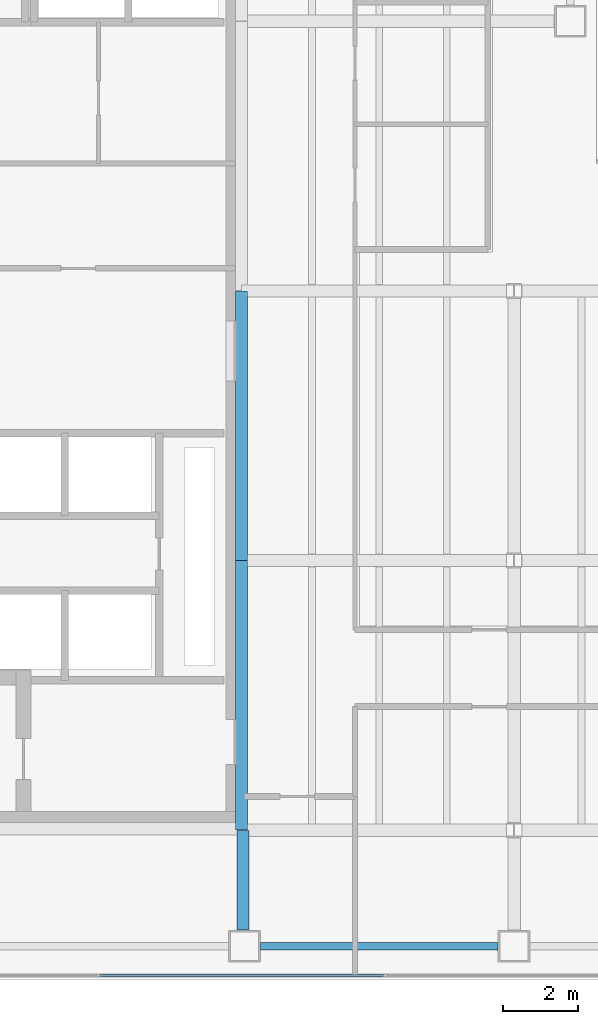
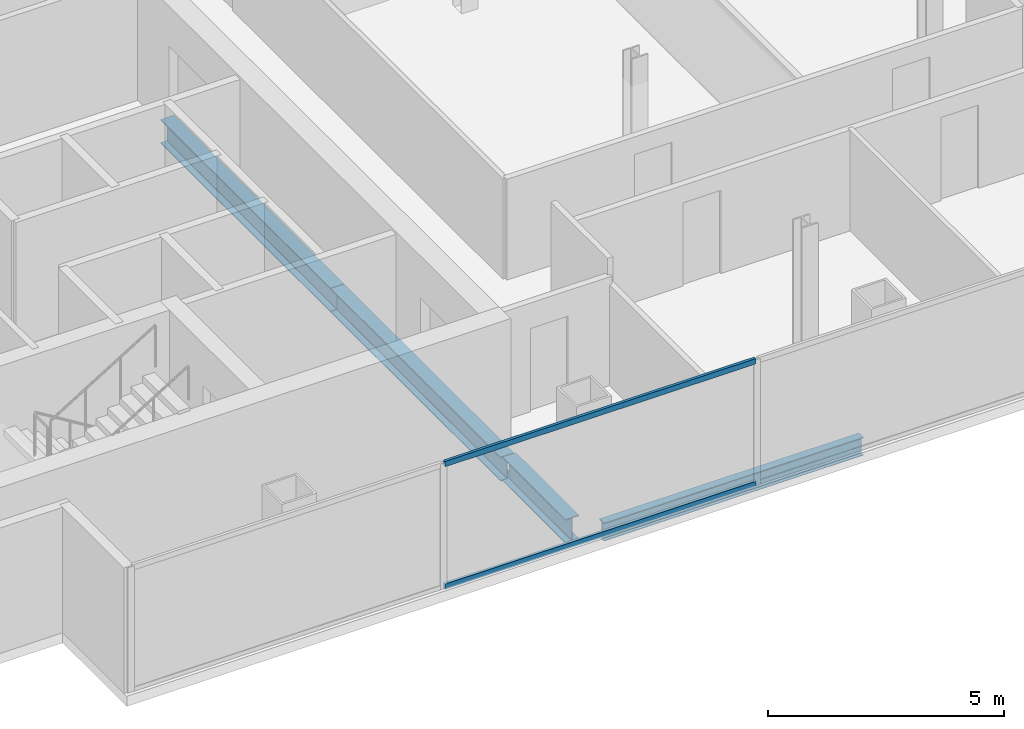
# One storey, part 3 of 23: 4 beams, 2 members, 1 element without a shape of its own.
"""IFC4 building model written with IfcOpenShell, lengths in metres."""

import ifcopenshell
import ifcopenshell.guid

model = None  # the IFC model being written
_history = None  # IfcOwnerHistory: only IFC2X3 demands one
_inside = {}  # id of a spatial element -> (the spatial element, [elements in it])
_under = {}  # id of a project, library or spatial element -> (it, [spatial elements below it])
_declared = {}  # id of a project -> (the project, [libraries it declares])
_typed = {}  # id of a type object -> (the type object, [elements of that type])
_made_of = {}  # id of a material, layer set ... -> (it, [elements and type objects made of it])


def new_model(schema):
    """Start an empty IFC model of exactly this schema.

    Asked for "IFC4X3", IfcOpenShell would pick the latest addendum, in which some entities
    have other attributes; the version numbers below select the first issue.
    IFC2X3 requires an IfcOwnerHistory on every rooted entity: one is made here for all.
    """
    global model, _history
    if schema == "IFC4X3":
        model = ifcopenshell.file(schema_version=(4, 3, 0, 0))
    else:
        model = ifcopenshell.file(schema=schema)
    _inside.clear()
    _under.clear()
    _declared.clear()
    _typed.clear()
    _made_of.clear()
    _history = None
    if model.schema == "IFC2X3":
        org = make("IfcOrganization", Name="unknown")
        user = make(
            "IfcPersonAndOrganization",
            ThePerson=make("IfcPerson", FamilyName="unknown"),
            TheOrganization=org,
        )
        app = make(
            "IfcApplication",
            ApplicationDeveloper=org,
            Version="unknown",
            ApplicationFullName="unknown",
            ApplicationIdentifier="unknown",
        )
        _history = make(
            "IfcOwnerHistory",
            OwningUser=user,
            OwningApplication=app,
            ChangeAction="ADDED",
            CreationDate=0,
        )
    return model


def make(cls, **values):
    """One entity of the class cls with the attributes given. An attribute that is None is left unset."""
    return model.create_entity(
        cls, **{name: value for name, value in values.items() if value is not None}
    )


def rooted(cls, **values):
    """An entity with a GlobalId (a new one), such as an element, a storey or a relation."""
    return make(cls, GlobalId=ifcopenshell.guid.new(), OwnerHistory=_history, **values)


def si_unit(unit_type, name, prefix=None):
    """IfcSIUnit, for example si_unit("LENGTHUNIT", "METRE", prefix="MILLI")."""
    return make("IfcSIUnit", UnitType=unit_type, Prefix=prefix, Name=name)


def assignment(units):
    """IfcUnitAssignment: the units of a project."""
    return None if units is None else make("IfcUnitAssignment", Units=units)


def point(xyz):
    """IfcCartesianPoint."""
    return None if xyz is None else make("IfcCartesianPoint", Coordinates=xyz)


def direction(xyz):
    """IfcDirection."""
    return None if xyz is None else make("IfcDirection", DirectionRatios=xyz)


def frame(location, z_axis=None, x_axis=None):
    """IfcAxis2Placement3D, a coordinate frame: its origin and axes. An axis left out is left unset."""
    return make(
        "IfcAxis2Placement3D",
        Location=point(location),
        Axis=direction(z_axis),
        RefDirection=direction(x_axis),
    )


def frame_2d(location, x_axis=None):
    """IfcAxis2Placement2D, a coordinate frame in the plane: its origin and x axis."""
    return make(
        "IfcAxis2Placement2D", Location=point(location), RefDirection=direction(x_axis)
    )


def origin():
    """The frame at (0, 0, 0) with its axes left unset."""
    return frame((0.0, 0.0, 0.0))


def origin_2d():
    """The frame at (0, 0) in the plane with its x axis left unset."""
    return frame_2d((0.0, 0.0))


def place(relative_to, where):
    """IfcLocalPlacement: puts the frame where relative to a parent placement (None: the world)."""
    return make(
        "IfcLocalPlacement", PlacementRelTo=relative_to, RelativePlacement=where
    )


def context(
    kind, dimensions, precision=None, world=None, true_north=None, identifier=None
):
    """IfcGeometricRepresentationContext, for example the 3D "Model" context."""
    return make(
        "IfcGeometricRepresentationContext",
        ContextIdentifier=identifier,
        ContextType=kind,
        CoordinateSpaceDimension=dimensions,
        Precision=precision,
        WorldCoordinateSystem=world,
        TrueNorth=true_north,
    )


def subcontext(parent, identifier, kind, view, scale=None):
    """IfcGeometricRepresentationSubContext, for example "Body" below "Model"."""
    return make(
        "IfcGeometricRepresentationSubContext",
        ContextIdentifier=identifier,
        ContextType=kind,
        ParentContext=parent,
        TargetScale=scale,
        TargetView=view,
    )


def project(units=None, contexts=None):
    """IfcProject with its units and contexts."""
    return rooted(
        "IfcProject",
        Name="project",
        RepresentationContexts=contexts,
        UnitsInContext=assignment(units),
    )


def spatial(cls, under=None, at=None, **own):
    """A site, building, storey or space (cls), placed at a placement, below another one or the project."""
    s = rooted(cls, ObjectPlacement=at, **own)
    if under is not None:
        _under.setdefault(under.id(), (under, []))[1].append(s)
    return s


def profile(cls, at=None, kind="AREA", **sizes):
    """A parametric profile (cls). Its sizes go by their IFC names, for example OverallWidth=200.0."""
    return make(cls, ProfileType=kind, Position=at, **sizes)


def hollow_rectangle(**sizes):
    """IfcRectangleHollowProfileDef."""
    return profile("IfcRectangleHollowProfileDef", **sizes)


def i_section(**sizes):
    """IfcIShapeProfileDef."""
    return profile("IfcIShapeProfileDef", **sizes)


def extrude(swept, where, along, depth):
    """IfcExtrudedAreaSolid: the profile swept, set in the frame where, extruded along a direction by depth."""
    return make(
        "IfcExtrudedAreaSolid",
        SweptArea=swept,
        Position=where,
        ExtrudedDirection=direction(along),
        Depth=depth,
    )


def shape(context_of_items, identifier, shape_type, items):
    """IfcShapeRepresentation: the items that make up one representation, for example the "Body"."""
    return make(
        "IfcShapeRepresentation",
        ContextOfItems=context_of_items,
        RepresentationIdentifier=identifier,
        RepresentationType=shape_type,
        Items=items,
    )


def material(Name=None, Category=None):
    """IfcMaterial."""
    return make("IfcMaterial", Name=Name, Category=Category)


def material_profile(
    of_material, cross_section, Name=None, Category=None, Priority=None
):
    """IfcMaterialProfile: a cross section and its material."""
    return make(
        "IfcMaterialProfile",
        Name=Name,
        Material=of_material,
        Profile=cross_section,
        Priority=Priority,
        Category=Category,
    )


def profile_set(profiles, Name=None, composite=None):
    """IfcMaterialProfileSet."""
    return make(
        "IfcMaterialProfileSet",
        Name=Name,
        MaterialProfiles=profiles,
        CompositeProfile=composite,
    )


def made_of(thing, what):
    """Note that an element or type object is made of a material, layer set ...; save() writes the relation."""
    if what is not None:
        _made_of.setdefault(what.id(), (what, []))[1].append(thing)
    return thing


def type_object(cls, material=None, **own):
    """A type object (cls), such as IfcWallType, which elements share."""
    return made_of(rooted(cls, **own), material)


def element(
    cls,
    number,
    at=None,
    inside=None,
    cuts=None,
    type_object=None,
    material=None,
    context=None,
    identifier="Body",
    shape_type=None,
    held_by="IfcProductDefinitionShape",
    body=None,
    shapes=None,
    **own,
):
    """One element of the class cls, such as IfcWall. Its Tag is "e" and its number.

    at: its placement. inside: the storey or other place that contains it. cuts: it is an
    opening in that element (IfcRelVoidsElement). A single representation is given by context,
    identifier, shape_type and body (its items); several are given by shapes. held_by: the class
    of the entity that holds the representations. save() writes the other relations.
    """
    e = rooted(cls, Tag="e%d" % number, ObjectPlacement=at, **own)
    if body is not None:
        shapes = [shape(context, identifier, shape_type, body)]
    if shapes is not None:
        e.Representation = make(held_by, Representations=shapes)
    if inside is not None:
        _inside.setdefault(inside.id(), (inside, []))[1].append(e)
    if cuts is not None:
        rooted(
            "IfcRelVoidsElement", RelatingBuildingElement=cuts, RelatedOpeningElement=e
        )
    if type_object is not None:
        _typed.setdefault(type_object.id(), (type_object, []))[1].append(e)
    return made_of(e, material)


def aggregate(whole, parts):
    """IfcRelAggregates: a whole, such as a stair, and the parts it consists of."""
    return rooted("IfcRelAggregates", RelatingObject=whole, RelatedObjects=parts)


def save(model, path):
    """Write the relations noted so far, then the file.

    IfcRelAggregates (storeys below a building ...), IfcRelContainedInSpatialStructure (elements
    in a storey), IfcRelDefinesByType, IfcRelAssociatesMaterial and IfcRelDeclares: one each for
    every whole, place, type object, material and project.
    """
    for whole, parts in _under.values():
        aggregate(whole, parts)
    for where, things in _inside.values():
        rooted(
            "IfcRelContainedInSpatialStructure",
            RelatedElements=things,
            RelatingStructure=where,
        )
    for kind, things in _typed.values():
        rooted("IfcRelDefinesByType", RelatedObjects=things, RelatingType=kind)
    for what, things in _made_of.values():
        rooted("IfcRelAssociatesMaterial", RelatedObjects=things, RelatingMaterial=what)
    for by, libraries in _declared.values():
        rooted("IfcRelDeclares", RelatingContext=by, RelatedDefinitions=libraries)
    model.write(path)


model = new_model("IFC4")

# Units and contexts
model_context = context("Model", 3, precision=1e-05, world=origin(), true_north=direction((0.0, 1.0)))
body_context = subcontext(model_context, "Body", "Model", "MODEL_VIEW")
ifc_project = project(units=[si_unit("LENGTHUNIT", "METRE"), si_unit("AREAUNIT", "SQUARE_METRE"), si_unit("VOLUMEUNIT", "CUBIC_METRE"), si_unit("PLANEANGLEUNIT", "RADIAN"), si_unit("MASSUNIT", "GRAM", prefix="KILO")], contexts=[model_context])

# Site, building, storey
site_placement = place(None, origin())
site = spatial("IfcSite", under=ifc_project, at=site_placement, CompositionType="ELEMENT")
building_placement = place(site_placement, origin())
building = spatial("IfcBuilding", under=site, at=building_placement, Name="Cobrela Telecom Tower", CompositionType="ELEMENT")
storey_placement = place(building_placement, frame((0.0, 0.0, 173.25)))
storey = spatial("IfcBuildingStorey", under=building, at=storey_placement, Name="L43", CompositionType="ELEMENT", Elevation=173.25)

# Beams
ifc_material_1 = material(Name="Steel ASTM A992 Grade 50", Category="steel")
ifc_material_profile_1 = material_profile(ifc_material_1, i_section(OverallWidth=0.327880859375, OverallDepth=0.6220703125, WebThickness=0.015380859375, FlangeThickness=0.0244140625, FilletRadius=0.014892578125, at=origin_2d()), Name="W24X131")
ifc_profile_set_1 = profile_set([ifc_material_profile_1], Name="Steel ASTM A992 Grade 50")
beam_type_1 = type_object("IfcBeamType", Name="BM-GIRD-06", PredefinedType="USERDEFINED", material=ifc_profile_set_1)
beam_1_placement = place(storey_placement, frame((14.360107421875, 4.530029296875, -0.571044921875), z_axis=(0.0, 1.0, 0.0), x_axis=(-1.0, 0.0, 0.0)))
element("IfcBeam", 1, at=beam_1_placement, inside=storey, type_object=beam_type_1, Name="L43 Primary Girder Y26", ObjectType="GIRDER", PredefinedType="USERDEFINED", context=body_context, shape_type="SweptSolid", body=[
    extrude(i_section(OverallWidth=0.327880859375, OverallDepth=0.6220703125, WebThickness=0.015380859375, FlangeThickness=0.0244140625, FilletRadius=0.014892578125, at=origin_2d()), origin(), (0.0, 0.0, 1.0), 2.6650390625),
])
for number, where, z_axis, x_axis, name in (
    (2, (14.320068359375, 7.205078125, -0.571044921875), (0.0, 1.0, 0.0), (-1.0, 0.0, 0.0), "L43 Primary Girder Y27"),
    (3, (14.320068359375, 14.405029296875, -0.571044921875), (0.0, 1.0, 0.0), (-1.0, 0.0, 0.0), "L43 Primary Girder Y28"),
):
    element("IfcBeam", number, at=place(storey_placement, frame(where, z_axis=z_axis, x_axis=x_axis)), inside=storey, type_object=beam_type_1, Name=name, ObjectType="GIRDER", PredefinedType="USERDEFINED", context=body_context, shape_type="SweptSolid", body=[
        extrude(i_section(OverallWidth=0.327880859375, OverallDepth=0.6220703125, WebThickness=0.015380859375, FlangeThickness=0.0244140625, FilletRadius=0.014892578125, at=origin_2d()), origin(), (0.0, 0.0, 1.0), 7.18994140625),
    ])
ifc_material_profile_2 = material_profile(ifc_material_1, i_section(OverallWidth=0.193115234375, OverallDepth=0.467041015625, WebThickness=0.011474609375, FlangeThickness=0.01904296875, FilletRadius=0.012939453125, at=origin_2d()), Name="W18X65")
ifc_profile_set_2 = profile_set([ifc_material_profile_2], Name="Steel ASTM A992 Grade 50")
beam_type_2 = type_object("IfcBeamType", Name="BM-SPAND-05", PredefinedType="SPANDREL", material=ifc_profile_set_2)
beam_2_placement = place(storey_placement, frame((14.830078125, 4.10009765625, -0.493408203125), z_axis=(1.0, 0.0, 0.0), x_axis=(0.0, 1.0, 0.0)))
element("IfcBeam", 4, at=beam_2_placement, inside=storey, type_object=beam_type_2, Name="L43 Perimeter Spandrel X02", PredefinedType="SPANDREL", context=body_context, shape_type="SweptSolid", body=[
    extrude(i_section(OverallWidth=0.193115234375, OverallDepth=0.467041015625, WebThickness=0.011474609375, FlangeThickness=0.01904296875, FilletRadius=0.012939453125, at=origin_2d()), origin(), (0.0, 0.0, 1.0), 6.33984375),
])

# Curtain wall, members
ifc_material_2 = material(Name="Anodized Bronze Aluminium 6063-T6", Category="aluminium")
curtain_wall_type = type_object("IfcCurtainWallType", Name="CW-SYS-OFF-LO", PredefinedType="USERDEFINED", material=ifc_material_2)
curtain_wall_placement = place(storey_placement, origin())
curtain_wall = element("IfcCurtainWall", 5, at=curtain_wall_placement, inside=storey, type_object=curtain_wall_type, Name="L43 Unitised Bronze Curtain Wall 17", ObjectType="UNITISED CURTAIN WALL", PredefinedType="USERDEFINED")
ifc_material_profile_3 = material_profile(ifc_material_2, hollow_rectangle(XDim=0.070068359375, YDim=0.139892578125, WallThickness=0.00390625, at=origin_2d()), Name="ALU 70x140x4")
ifc_profile_set_3 = profile_set([ifc_material_profile_3], Name="Anodized Bronze Aluminium 6063-T6")
member_type = type_object("IfcMemberType", Name="CW-SYS-OFF-LO-TRN", PredefinedType="USERDEFINED", material=ifc_profile_set_3)
member_1_placement = place(storey_placement, frame((18.131103515625, 3.320068359375, 0.034912109375), z_axis=(-1.0, 0.0, 0.0), x_axis=(0.0, -1.0, 0.0)))
member_1 = element("IfcMember", 6, at=member_1_placement, type_object=member_type, Name="CW-OFF-LO transom 4.1", ObjectType="TRANSOM", PredefinedType="USERDEFINED", context=body_context, shape_type="SweptSolid", body=[
    extrude(hollow_rectangle(XDim=0.070068359375, YDim=0.139892578125, WallThickness=0.00390625, at=origin_2d()), origin(), (0.0, 0.0, 1.0), 7.59814453125),
])
member_2_placement = place(storey_placement, frame((18.131103515625, 3.320068359375, 3.205078125), z_axis=(-1.0, 0.0, 0.0), x_axis=(0.0, -1.0, 0.0)))
member_2 = element("IfcMember", 7, at=member_2_placement, type_object=member_type, Name="CW-OFF-LO transom 4.2", ObjectType="TRANSOM", PredefinedType="USERDEFINED", context=body_context, shape_type="SweptSolid", body=[
    extrude(hollow_rectangle(XDim=0.070068359375, YDim=0.139892578125, WallThickness=0.00390625, at=origin_2d()), origin(), (0.0, 0.0, 1.0), 7.59814453125),
])
aggregate(curtain_wall, [member_1, member_2])

save(model, "model.ifc")
